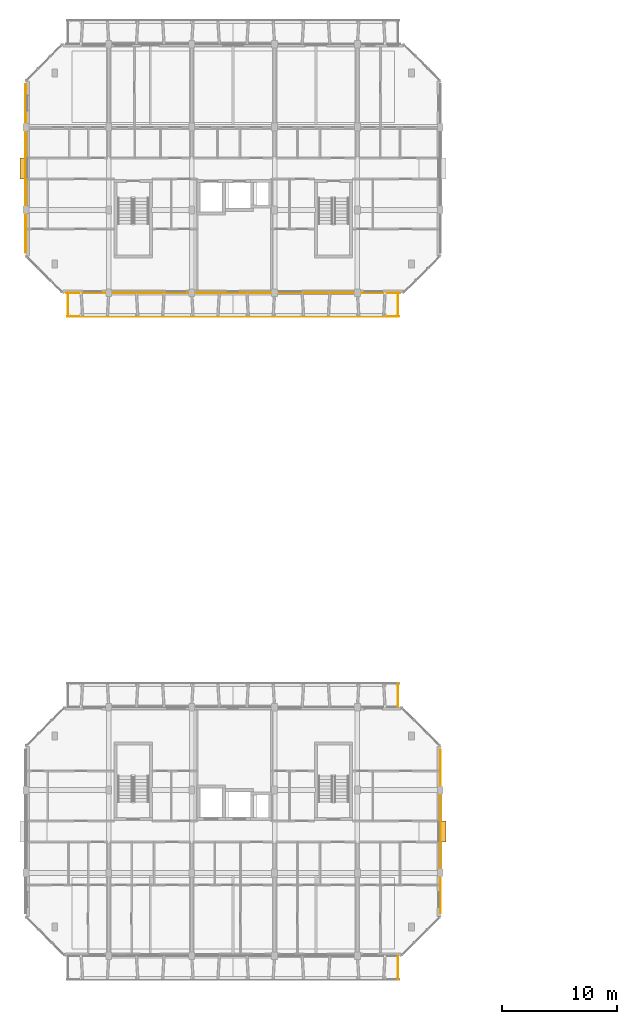
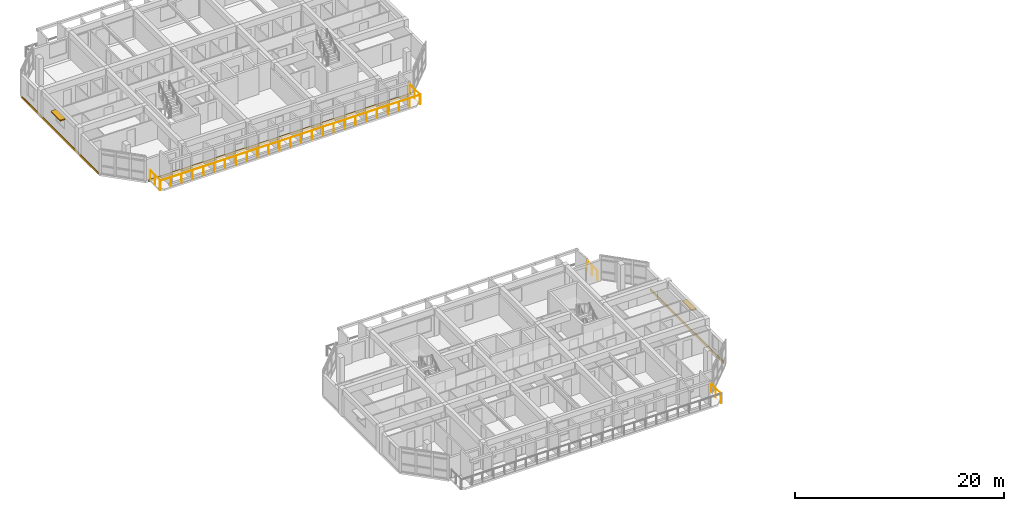
# One storey, part 36 of 43: 5 railings, 3 coverings, 2 shading devices.
"""IFC4 building model written with IfcOpenShell, lengths in metres."""

from ifc_helpers import new_model, si_unit, direction, frame, origin, origin_2d, place, context, subcontext, project, spatial, rectangle, circle, extrude, material, layer, layer_set, type_object, element, save


model = new_model("IFC4")

# Units and contexts
model_context = context("Model", 3, precision=1e-05, world=origin(), true_north=direction((0.0, 1.0)))
body_context = subcontext(model_context, "Body", "Model", "MODEL_VIEW")
ifc_project = project(units=[si_unit("LENGTHUNIT", "METRE"), si_unit("AREAUNIT", "SQUARE_METRE"), si_unit("VOLUMEUNIT", "CUBIC_METRE"), si_unit("PLANEANGLEUNIT", "RADIAN"), si_unit("MASSUNIT", "GRAM", prefix="KILO")], contexts=[model_context])

# Site, building, storey
site_placement = place(None, origin())
site = spatial("IfcSite", under=ifc_project, at=site_placement, CompositionType="ELEMENT")
building_placement = place(site_placement, origin())
building = spatial("IfcBuilding", under=site, at=building_placement, Name="Ochrevale Crest", CompositionType="ELEMENT")
storey_placement = place(building_placement, frame((0.0, 0.0, 15.0)))
storey = spatial("IfcBuildingStorey", under=building, at=storey_placement, Name="L04", CompositionType="ELEMENT", Elevation=15.0)

# Coverings
ifc_material_1 = material(Name="Glazed terracotta rainscreen tile", Category="masonry")
ifc_layer = layer(ifc_material_1, 0.048095703125)
ifc_layer_set = layer_set([ifc_layer], Name="Glazed terracotta rainscreen tile")
covering_type = type_object("IfcCoveringType", Name="COV-CLAD-TER", PredefinedType="CLADDING", material=ifc_layer_set)
covering_1_placement = place(storey_placement, frame((36.014404296875, 25.199951171875, -0.26025390625), z_axis=(0.0, 0.0, 1.0), x_axis=(0.0, 1.0, 0.0)))
element("IfcCovering", 1, at=covering_1_placement, inside=storey, type_object=covering_type, Name="Block A L04 terracotta slab-edge spandrel cladding", PredefinedType="CLADDING", context=body_context, shape_type="SweptSolid", body=[
    extrude(rectangle(XDim=14.199951171875, YDim=0.06005859375, at=origin_2d()), origin(), (0.0, 0.0, 1.0), 0.280029296875),
])
covering_2_placement = place(storey_placement, frame((18.0, 71.987548828125, -0.26025390625), z_axis=(0.0, 0.0, 1.0), x_axis=(1.0, 0.0, 0.0)))
element("IfcCovering", 2, at=covering_2_placement, inside=storey, type_object=covering_type, Name="Block B L04 terracotta slab-edge spandrel cladding", PredefinedType="CLADDING", context=body_context, shape_type="SweptSolid", body=[
    extrude(rectangle(XDim=29.0, YDim=0.06005859375, at=origin_2d()), origin(), (0.0, 0.0, 1.0), 0.280029296875),
])
covering_3_placement = place(storey_placement, frame((-0.014404296875, 82.800048828125, -0.26025390625), z_axis=(0.0, 0.0, 1.0), x_axis=(0.0, -1.0, 0.0)))
element("IfcCovering", 3, at=covering_3_placement, inside=storey, type_object=covering_type, Name="Block B L04 terracotta slab-edge spandrel cladding", PredefinedType="CLADDING", context=body_context, shape_type="SweptSolid", body=[
    extrude(rectangle(XDim=14.60009765625, YDim=0.06005859375, at=origin_2d()), origin(), (0.0, 0.0, 1.0), 0.280029296875),
])

# Railings
ifc_material_2 = material(Name="Galvanised steel", Category="steel")
railing_type = type_object("IfcRailingType", Name="RL-BAL-1100", PredefinedType="BALUSTRADE", material=ifc_material_2)
railing_1_placement = place(storey_placement, frame((32.340087890625, 14.39990234375, 0.0)))
element("IfcRailing", 4, at=railing_1_placement, inside=storey, type_object=railing_type, Name="Block A L04 S-E balcony side guard", PredefinedType="BALUSTRADE", context=body_context, shape_type="SweptSolid", body=[
    extrude(circle(Radius=0.02392578125, at=origin_2d()), frame((0.0, 0.0, 1.0859375), z_axis=(0.0, -1.0, 0.0), x_axis=(1.0, 0.0, 0.0)), (0.0, 0.0, 1.0), 2.039794921875),
    extrude(circle(Radius=0.02099609375, at=origin_2d()), origin(), (0.0, 0.0, 1.0), 1.06201171875),
    extrude(circle(Radius=0.02099609375, at=origin_2d()), frame((0.0, -1.02001953125, 0.0)), (0.0, 0.0, 1.0), 1.06201171875),
    extrude(circle(Radius=0.02099609375, at=origin_2d()), frame((0.0, -2.039794921875, 0.0)), (0.0, 0.0, 1.0), 1.06201171875),
])
railing_2_placement = place(storey_placement, frame((32.340087890625, 36.0, 0.0)))
element("IfcRailing", 5, at=railing_2_placement, inside=storey, type_object=railing_type, Name="Block A L04 N-E balcony side guard", PredefinedType="BALUSTRADE", context=body_context, shape_type="SweptSolid", body=[
    extrude(circle(Radius=0.02392578125, at=origin_2d()), frame((0.0, 0.0, 1.0859375), z_axis=(0.0, 1.0, 0.0), x_axis=(-1.0, 0.0, 0.0)), (0.0, 0.0, 1.0), 2.0400390625),
    extrude(circle(Radius=0.02099609375, at=origin_2d()), origin(), (0.0, 0.0, 1.0), 1.06201171875),
    extrude(circle(Radius=0.02099609375, at=origin_2d()), frame((0.0, 1.02001953125, 0.0)), (0.0, 0.0, 1.0), 1.06201171875),
    extrude(circle(Radius=0.02099609375, at=origin_2d()), frame((0.0, 2.0400390625, 0.0)), (0.0, 0.0, 1.0), 1.06201171875),
])
railing_3_placement = place(storey_placement, frame((3.60009765625, 69.9599609375, 0.0)))
element("IfcRailing", 6, at=railing_3_placement, inside=storey, type_object=railing_type, Name="Block B L04 S balcony front balustrade", PredefinedType="BALUSTRADE", context=body_context, shape_type="SweptSolid", body=[
    extrude(circle(Radius=0.02392578125, at=origin_2d()), frame((0.0, 0.0, 1.0859375), z_axis=(1.0, 0.0, 0.0), x_axis=(0.0, 1.0, 0.0)), (0.0, 0.0, 1.0), 28.7998046875),
    extrude(circle(Radius=0.02099609375, at=origin_2d()), origin(), (0.0, 0.0, 1.0), 1.06201171875),
    extrude(circle(Radius=0.02099609375, at=origin_2d()), frame((1.199951171875, 0.0, 0.0)), (0.0, 0.0, 1.0), 1.06201171875),
    extrude(circle(Radius=0.02099609375, at=origin_2d()), frame((2.39990234375, 0.0, 0.0)), (0.0, 0.0, 1.0), 1.06201171875),
    extrude(circle(Radius=0.02099609375, at=origin_2d()), frame((3.60009765625, 0.0, 0.0)), (0.0, 0.0, 1.0), 1.06201171875),
    extrude(circle(Radius=0.02099609375, at=origin_2d()), frame((4.800048828125, 0.0, 0.0)), (0.0, 0.0, 1.0), 1.06201171875),
    extrude(circle(Radius=0.02099609375, at=origin_2d()), frame((6.0, 0.0, 0.0)), (0.0, 0.0, 1.0), 1.06201171875),
    extrude(circle(Radius=0.02099609375, at=origin_2d()), frame((7.199951171875, 0.0, 0.0)), (0.0, 0.0, 1.0), 1.06201171875),
    extrude(circle(Radius=0.02099609375, at=origin_2d()), frame((8.39990234375, 0.0, 0.0)), (0.0, 0.0, 1.0), 1.06201171875),
    extrude(circle(Radius=0.02099609375, at=origin_2d()), frame((9.599853515625, 0.0, 0.0)), (0.0, 0.0, 1.0), 1.06201171875),
    extrude(circle(Radius=0.02099609375, at=origin_2d()), frame((10.7998046875, 0.0, 0.0)), (0.0, 0.0, 1.0), 1.06201171875),
    extrude(circle(Radius=0.02099609375, at=origin_2d()), frame((12.0, 0.0, 0.0)), (0.0, 0.0, 1.0), 1.06201171875),
    extrude(circle(Radius=0.02099609375, at=origin_2d()), frame((13.199951171875, 0.0, 0.0)), (0.0, 0.0, 1.0), 1.06201171875),
    extrude(circle(Radius=0.02099609375, at=origin_2d()), frame((14.39990234375, 0.0, 0.0)), (0.0, 0.0, 1.0), 1.06201171875),
    extrude(circle(Radius=0.02099609375, at=origin_2d()), frame((15.599853515625, 0.0, 0.0)), (0.0, 0.0, 1.0), 1.06201171875),
    extrude(circle(Radius=0.02099609375, at=origin_2d()), frame((16.7998046875, 0.0, 0.0)), (0.0, 0.0, 1.0), 1.06201171875),
    extrude(circle(Radius=0.02099609375, at=origin_2d()), frame((18.0, 0.0, 0.0)), (0.0, 0.0, 1.0), 1.06201171875),
    extrude(circle(Radius=0.02099609375, at=origin_2d()), frame((19.199951171875, 0.0, 0.0)), (0.0, 0.0, 1.0), 1.06201171875),
    extrude(circle(Radius=0.02099609375, at=origin_2d()), frame((20.39990234375, 0.0, 0.0)), (0.0, 0.0, 1.0), 1.06201171875),
    extrude(circle(Radius=0.02099609375, at=origin_2d()), frame((21.599853515625, 0.0, 0.0)), (0.0, 0.0, 1.0), 1.06201171875),
    extrude(circle(Radius=0.02099609375, at=origin_2d()), frame((22.7998046875, 0.0, 0.0)), (0.0, 0.0, 1.0), 1.06201171875),
    extrude(circle(Radius=0.02099609375, at=origin_2d()), frame((23.999755859375, 0.0, 0.0)), (0.0, 0.0, 1.0), 1.06201171875),
    extrude(circle(Radius=0.02099609375, at=origin_2d()), frame((25.19970703125, 0.0, 0.0)), (0.0, 0.0, 1.0), 1.06201171875),
    extrude(circle(Radius=0.02099609375, at=origin_2d()), frame((26.39990234375, 0.0, 0.0)), (0.0, 0.0, 1.0), 1.06201171875),
    extrude(circle(Radius=0.02099609375, at=origin_2d()), frame((27.599853515625, 0.0, 0.0)), (0.0, 0.0, 1.0), 1.06201171875),
    extrude(circle(Radius=0.02099609375, at=origin_2d()), frame((28.7998046875, 0.0, 0.0)), (0.0, 0.0, 1.0), 1.06201171875),
])
for number, where, name in (
    (7, (3.659912109375, 72.0, 0.0), "Block B L04 S-W balcony side guard"),
    (8, (32.340087890625, 72.0, 0.0), "Block B L04 S-E balcony side guard"),
):
    element("IfcRailing", number, at=place(storey_placement, frame(where)), inside=storey, type_object=railing_type, Name=name, PredefinedType="BALUSTRADE", context=body_context, shape_type="SweptSolid", body=[
        extrude(circle(Radius=0.02392578125, at=origin_2d()), frame((0.0, 0.0, 1.0859375), z_axis=(0.0, -1.0, 0.0), x_axis=(1.0, 0.0, 0.0)), (0.0, 0.0, 1.0), 2.0400390625),
        extrude(circle(Radius=0.02099609375, at=origin_2d()), origin(), (0.0, 0.0, 1.0), 1.06201171875),
        extrude(circle(Radius=0.02099609375, at=origin_2d()), frame((0.0, -1.02001953125, 0.0)), (0.0, 0.0, 1.0), 1.06201171875),
        extrude(circle(Radius=0.02099609375, at=origin_2d()), frame((0.0, -2.0400390625, 0.0)), (0.0, 0.0, 1.0), 1.06201171875),
    ])

# Shading devices
ifc_material_3 = material(Name="Anodised aluminium 6063-T5", Category="aluminium")
shading_device_type = type_object("IfcShadingDeviceType", Name="SHD-SUNSHADE-OC", PredefinedType="USERDEFINED", material=ifc_material_3)
for number, where, z_axis, x_axis, name in (
    (9, (36.239990234375, 25.199951171875, 2.2099609375), (0.0, 0.0, 1.0), (1.0, 0.0, 0.0), "Block A L04 gable window sunshade E"),
    (10, (-0.239990234375, 82.800048828125, 2.2099609375), (0.0, 0.0, 1.0), (1.0, 0.0, 0.0), "Block B L04 gable window sunshade W"),
):
    element("IfcShadingDevice", number, at=place(storey_placement, frame(where, z_axis=z_axis, x_axis=x_axis)), inside=storey, type_object=shading_device_type, Name=name, ObjectType="HORIZONTAL SUNSHADE", PredefinedType="USERDEFINED", context=body_context, shape_type="SweptSolid", body=[
        extrude(rectangle(XDim=0.550048828125, YDim=1.800048828125, at=origin_2d()), origin(), (0.0, 0.0, 1.0), 0.139892578125),
    ])

save(model, "model.ifc")
